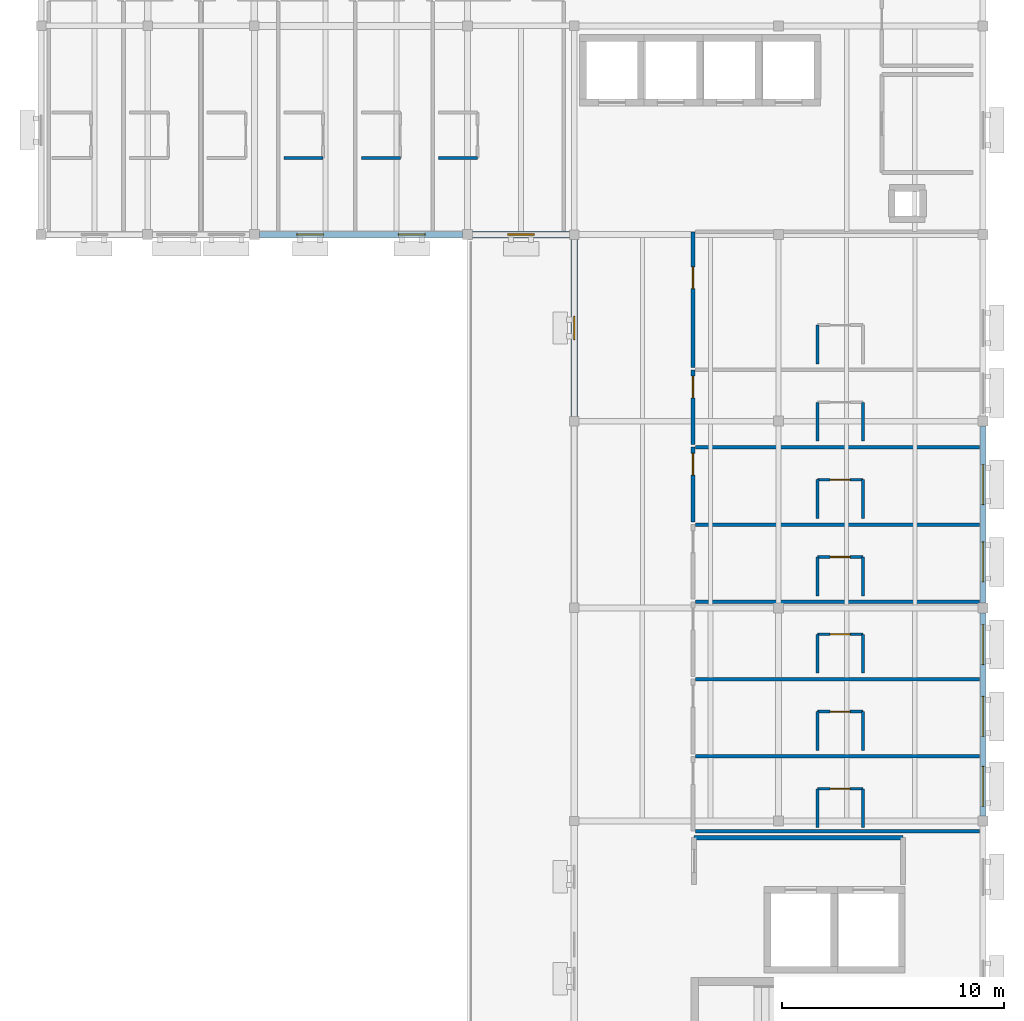
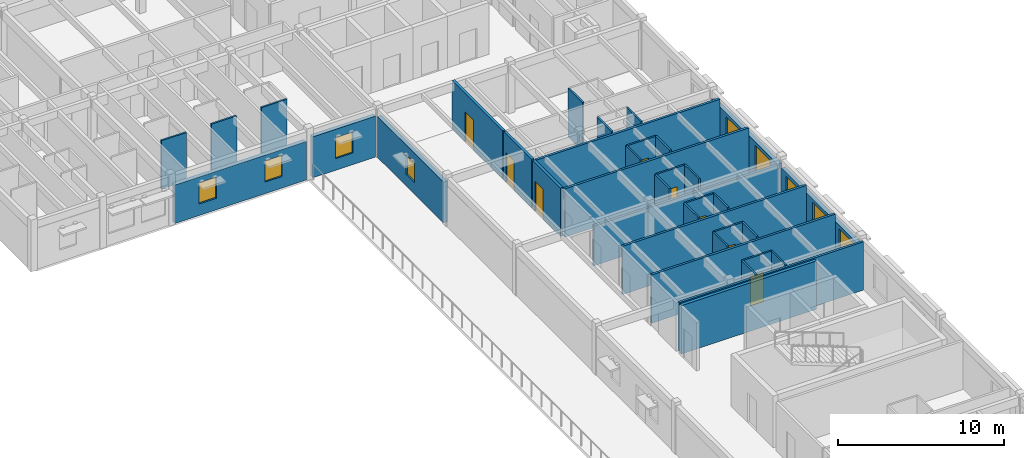
# One storey, part 7 of 18: 36 walls, 9 windows, 8 doors, 17 openings.
"""IFC4 building model written with IfcOpenShell, lengths in metres."""

from ifc_helpers import new_model, si_unit, direction, frame, frame_2d, origin, place, context, subcontext, project, spatial, rectangle, extrude, material, layer, layer_set, type_object, element, fill, save


model = new_model("IFC4")

# Units and contexts
model_context = context("Model", 3, precision=1e-05, world=origin(), true_north=direction((0.0, 1.0)))
body_context = subcontext(model_context, "Body", "Model", "MODEL_VIEW")
ifc_project = project(units=[si_unit("LENGTHUNIT", "METRE"), si_unit("AREAUNIT", "SQUARE_METRE"), si_unit("VOLUMEUNIT", "CUBIC_METRE"), si_unit("PLANEANGLEUNIT", "RADIAN"), si_unit("MASSUNIT", "GRAM", prefix="KILO")], contexts=[model_context])

# Site, building, storey
site_placement = place(None, origin())
site = spatial("IfcSite", under=ifc_project, at=site_placement, CompositionType="ELEMENT")
building_placement = place(site_placement, origin())
building = spatial("IfcBuilding", under=site, at=building_placement, Name="Veldera Park Congress Hotel", CompositionType="ELEMENT")
storey_placement = place(building_placement, frame((0.0, 0.0, 31.39990234375)))
storey = spatial("IfcBuildingStorey", under=building, at=storey_placement, Name="L07", CompositionType="ELEMENT", Elevation=31.39990234375)

# Wall, openings, windows
ifc_material_1 = material(Name="Cross-laminated timber CLT V2M1.1", Category="wood")
ifc_layer_1 = layer(ifc_material_1, 0.280029296875)
ifc_layer_set_1 = layer_set([ifc_layer_1], Name="Cross-laminated timber CLT V2M1.1")
wall_type_1 = type_object("IfcWallType", Name="EW-CLT280", PredefinedType="STANDARD", material=ifc_layer_set_1)
wall_1_placement = place(storey_placement, frame((84.0, 0.822998046875, 0.0), z_axis=(0.0, 0.0, 1.0), x_axis=(0.0, 1.0, 0.0)))
wall_1 = element("IfcWall", 1, at=wall_1_placement, inside=storey, type_object=wall_type_1, Name="L07 Exterior Wall EW3-L07-0346", PredefinedType="STANDARD", context=body_context, shape_type="SweptSolid", body=[
    extrude(rectangle(XDim=9.154052734375, YDim=0.280029296875, at=frame_2d((4.5771484375, 0.0))), origin(), (0.0, 0.0, 1.0), 2.97021484375),
])
opening_1_placement = place(wall_1_placement, frame((0.443603515625, 0.0, 0.85009765625)))
opening_1 = element("IfcOpeningElement", 2, at=opening_1_placement, cuts=wall_1, Name="Opening WIN-1800", PredefinedType="OPENING", context=body_context, shape_type="SweptSolid", body=[
    extrude(rectangle(XDim=1.800048828125, YDim=1.85009765625, at=frame_2d((0.89990234375, 0.925048828125))), frame((0.0, 0.152099609375, 0.0), z_axis=(0.0, -1.0, 0.0), x_axis=(1.0, 0.0, 0.0)), (0.0, 0.0, 1.0), 0.303955078125),
])
opening_2_placement = place(wall_1_placement, frame((3.5869140625, 0.0, 0.85009765625)))
opening_2 = element("IfcOpeningElement", 3, at=opening_2_placement, cuts=wall_1, Name="Opening WIN-1800", PredefinedType="OPENING", context=body_context, shape_type="SweptSolid", body=[
    extrude(rectangle(XDim=1.800048828125, YDim=1.85009765625, at=frame_2d((0.89990234375, 0.925048828125))), frame((0.0, 0.152099609375, 0.0), z_axis=(0.0, -1.0, 0.0), x_axis=(1.0, 0.0, 0.0)), (0.0, 0.0, 1.0), 0.303955078125),
])
opening_3_placement = place(wall_1_placement, frame((6.820556640625, 0.0, 0.85009765625)))
opening_3 = element("IfcOpeningElement", 4, at=opening_3_placement, cuts=wall_1, Name="Opening WIN-1800", PredefinedType="OPENING", context=body_context, shape_type="SweptSolid", body=[
    extrude(rectangle(XDim=1.800048828125, YDim=1.85009765625, at=frame_2d((0.89990234375, 0.925048828125))), frame((0.0, 0.152099609375, 0.0), z_axis=(0.0, -1.0, 0.0), x_axis=(1.0, 0.0, 0.0)), (0.0, 0.0, 1.0), 0.303955078125),
])
ifc_material_2 = material(Name="Low-E Triple Insulating Glass Unit (SHGC 0.22)", Category="glass")
window_type_1 = type_object("IfcWindowType", Name="WIN-1800", PartitioningType="SINGLE_PANEL", PredefinedType="WINDOW", material=ifc_material_2)
window_1_placement = place(opening_1_placement, origin())
window_1 = element("IfcWindow", 5, at=window_1_placement, inside=storey, type_object=window_type_1, Name="L07 Window WIN-1800 543", OverallHeight=1.85009765625, OverallWidth=1.800048828125, PartitioningType="SINGLE_PANEL", PredefinedType="WINDOW", context=body_context, shape_type="SweptSolid", body=[
    extrude(rectangle(XDim=1.800048828125, YDim=1.85009765625, at=frame_2d((0.89990234375, 0.925048828125))), frame((0.0, 0.030029296875, 0.0), z_axis=(0.0, -1.0, 0.0), x_axis=(1.0, 0.0, 0.0)), (0.0, 0.0, 1.0), 0.06005859375),
])
fill(opening_1, window_1)
window_2_placement = place(opening_2_placement, origin())
window_2 = element("IfcWindow", 6, at=window_2_placement, inside=storey, type_object=window_type_1, Name="L07 Window WIN-1800 544", OverallHeight=1.85009765625, OverallWidth=1.800048828125, PartitioningType="SINGLE_PANEL", PredefinedType="WINDOW", context=body_context, shape_type="SweptSolid", body=[
    extrude(rectangle(XDim=1.800048828125, YDim=1.85009765625, at=frame_2d((0.89990234375, 0.925048828125))), frame((0.0, 0.030029296875, 0.0), z_axis=(0.0, -1.0, 0.0), x_axis=(1.0, 0.0, 0.0)), (0.0, 0.0, 1.0), 0.06005859375),
])
fill(opening_2, window_2)
window_3_placement = place(opening_3_placement, origin())
window_3 = element("IfcWindow", 7, at=window_3_placement, inside=storey, type_object=window_type_1, Name="L07 Window WIN-1800 545", OverallHeight=1.85009765625, OverallWidth=1.800048828125, PartitioningType="SINGLE_PANEL", PredefinedType="WINDOW", context=body_context, shape_type="SweptSolid", body=[
    extrude(rectangle(XDim=1.800048828125, YDim=1.85009765625, at=frame_2d((0.89990234375, 0.925048828125))), frame((0.0, 0.030029296875, 0.0), z_axis=(0.0, -1.0, 0.0), x_axis=(1.0, 0.0, 0.0)), (0.0, 0.0, 1.0), 0.06005859375),
])
fill(opening_3, window_3)

wall_2_placement = place(storey_placement, frame((84.0, 10.423095703125, 0.0), z_axis=(0.0, 0.0, 1.0), x_axis=(0.0, 1.0, 0.0)))
wall_2 = element("IfcWall", 8, at=wall_2_placement, inside=storey, type_object=wall_type_1, Name="L07 Exterior Wall EW3-L07-0347", PredefinedType="STANDARD", context=body_context, shape_type="SweptSolid", body=[
    extrude(rectangle(XDim=7.953857421875, YDim=0.280029296875, at=frame_2d((3.97705078125, 0.0))), origin(), (0.0, 0.0, 1.0), 2.97021484375),
])
opening_4_placement = place(wall_2_placement, frame((0.947021484375, 0.0, 0.85009765625)))
opening_4 = element("IfcOpeningElement", 9, at=opening_4_placement, cuts=wall_2, Name="Opening WIN-1800", PredefinedType="OPENING", context=body_context, shape_type="SweptSolid", body=[
    extrude(rectangle(XDim=1.800048828125, YDim=1.85009765625, at=frame_2d((0.89990234375, 0.925048828125))), frame((0.0, 0.152099609375, 0.0), z_axis=(0.0, -1.0, 0.0), x_axis=(1.0, 0.0, 0.0)), (0.0, 0.0, 1.0), 0.303955078125),
])
opening_5_placement = place(wall_2_placement, frame((4.427001953125, 0.0, 0.85009765625)))
opening_5 = element("IfcOpeningElement", 10, at=opening_5_placement, cuts=wall_2, Name="Opening WIN-1800", PredefinedType="OPENING", context=body_context, shape_type="SweptSolid", body=[
    extrude(rectangle(XDim=1.800048828125, YDim=1.85009765625, at=frame_2d((0.89990234375, 0.925048828125))), frame((0.0, 0.152099609375, 0.0), z_axis=(0.0, -1.0, 0.0), x_axis=(1.0, 0.0, 0.0)), (0.0, 0.0, 1.0), 0.303955078125),
])
window_4_placement = place(opening_4_placement, origin())
window_4 = element("IfcWindow", 11, at=window_4_placement, inside=storey, type_object=window_type_1, Name="L07 Window WIN-1800 546", OverallHeight=1.85009765625, OverallWidth=1.800048828125, PartitioningType="SINGLE_PANEL", PredefinedType="WINDOW", context=body_context, shape_type="SweptSolid", body=[
    extrude(rectangle(XDim=1.800048828125, YDim=1.85009765625, at=frame_2d((0.89990234375, 0.925048828125))), frame((0.0, 0.030029296875, 0.0), z_axis=(0.0, -1.0, 0.0), x_axis=(1.0, 0.0, 0.0)), (0.0, 0.0, 1.0), 0.06005859375),
])
fill(opening_4, window_4)
window_5_placement = place(opening_5_placement, origin())
window_5 = element("IfcWindow", 12, at=window_5_placement, inside=storey, type_object=window_type_1, Name="L07 Window WIN-1800 547", OverallHeight=1.85009765625, OverallWidth=1.800048828125, PartitioningType="SINGLE_PANEL", PredefinedType="WINDOW", context=body_context, shape_type="SweptSolid", body=[
    extrude(rectangle(XDim=1.800048828125, YDim=1.85009765625, at=frame_2d((0.89990234375, 0.925048828125))), frame((0.0, 0.030029296875, 0.0), z_axis=(0.0, -1.0, 0.0), x_axis=(1.0, 0.0, 0.0)), (0.0, 0.0, 1.0), 0.06005859375),
])
fill(opening_5, window_5)

wall_3_placement = place(storey_placement, frame((51.423095703125, 27.0, 0.0), z_axis=(0.0, 0.0, 1.0), x_axis=(1.0, 0.0, 0.0)))
wall_3 = element("IfcWall", 13, at=wall_3_placement, inside=storey, type_object=wall_type_1, Name="L07 Exterior Wall EW3-L07-0361", PredefinedType="STANDARD", context=body_context, shape_type="SweptSolid", body=[
    extrude(rectangle(XDim=9.15380859375, YDim=0.280029296875, at=frame_2d((4.576904296875, 0.0))), origin(), (0.0, 0.0, 1.0), 2.830078125),
])
opening_6_placement = place(wall_3_placement, frame((1.6884765625, 0.0, 0.85009765625)))
opening_6 = element("IfcOpeningElement", 14, at=opening_6_placement, cuts=wall_3, Name="Opening WIN-1200", PredefinedType="OPENING", context=body_context, shape_type="SweptSolid", body=[
    extrude(rectangle(XDim=1.199951171875, YDim=1.550048828125, at=frame_2d((0.60009765625, 0.77490234375))), frame((0.0, 0.152099609375, 0.0), z_axis=(0.0, -1.0, 0.0), x_axis=(1.0, 0.0, 0.0)), (0.0, 0.0, 1.0), 0.303955078125),
])
opening_7_placement = place(wall_3_placement, frame((6.265380859375, 0.0, 0.85009765625)))
opening_7 = element("IfcOpeningElement", 15, at=opening_7_placement, cuts=wall_3, Name="Opening WIN-1200", PredefinedType="OPENING", context=body_context, shape_type="SweptSolid", body=[
    extrude(rectangle(XDim=1.199951171875, YDim=1.550048828125, at=frame_2d((0.60009765625, 0.77490234375))), frame((0.0, 0.152099609375, 0.0), z_axis=(0.0, -1.0, 0.0), x_axis=(1.0, 0.0, 0.0)), (0.0, 0.0, 1.0), 0.303955078125),
])
window_type_2 = type_object("IfcWindowType", Name="WIN-1200", PartitioningType="SINGLE_PANEL", PredefinedType="WINDOW", material=ifc_material_2)
window_6_placement = place(opening_6_placement, origin())
window_6 = element("IfcWindow", 16, at=window_6_placement, inside=storey, type_object=window_type_2, Name="L07 Window WIN-1200 274", OverallHeight=1.550048828125, OverallWidth=1.199951171875, PartitioningType="SINGLE_PANEL", PredefinedType="WINDOW", context=body_context, shape_type="SweptSolid", body=[
    extrude(rectangle(XDim=1.199951171875, YDim=1.550048828125, at=frame_2d((0.60009765625, 0.77490234375))), frame((0.0, 0.030029296875, 0.0), z_axis=(0.0, -1.0, 0.0), x_axis=(1.0, 0.0, 0.0)), (0.0, 0.0, 1.0), 0.06005859375),
])
fill(opening_6, window_6)
window_7_placement = place(opening_7_placement, origin())
window_7 = element("IfcWindow", 17, at=window_7_placement, inside=storey, type_object=window_type_2, Name="L07 Window WIN-1200 275", OverallHeight=1.550048828125, OverallWidth=1.199951171875, PartitioningType="SINGLE_PANEL", PredefinedType="WINDOW", context=body_context, shape_type="SweptSolid", body=[
    extrude(rectangle(XDim=1.199951171875, YDim=1.550048828125, at=frame_2d((0.60009765625, 0.77490234375))), frame((0.0, 0.030029296875, 0.0), z_axis=(0.0, -1.0, 0.0), x_axis=(1.0, 0.0, 0.0)), (0.0, 0.0, 1.0), 0.06005859375),
])
fill(opening_7, window_7)

# Wall, opening, window
wall_4_placement = place(storey_placement, frame((61.02294921875, 27.0, 0.0), z_axis=(0.0, 0.0, 1.0), x_axis=(1.0, 0.0, 0.0)))
wall_4 = element("IfcWall", 18, at=wall_4_placement, inside=storey, type_object=wall_type_1, Name="L07 Exterior Wall EW3-L07-0362", PredefinedType="STANDARD", context=body_context, shape_type="SweptSolid", body=[
    extrude(rectangle(XDim=4.369140625, YDim=0.280029296875, at=frame_2d((2.1845703125, 0.0))), origin(), (0.0, 0.0, 1.0), 3.010009765625),
])
opening_8_placement = place(wall_4_placement, frame((1.58447265625, 0.0, 0.85009765625)))
opening_8 = element("IfcOpeningElement", 19, at=opening_8_placement, cuts=wall_4, Name="Opening WIN-1200", PredefinedType="OPENING", context=body_context, shape_type="SweptSolid", body=[
    extrude(rectangle(XDim=1.199951171875, YDim=1.550048828125, at=frame_2d((0.60009765625, 0.77490234375))), frame((0.0, 0.152099609375, 0.0), z_axis=(0.0, -1.0, 0.0), x_axis=(1.0, 0.0, 0.0)), (0.0, 0.0, 1.0), 0.303955078125),
])
window_8_placement = place(opening_8_placement, origin())
window_8 = element("IfcWindow", 20, at=window_8_placement, inside=storey, type_object=window_type_2, Name="L07 Window WIN-1200 276", OverallHeight=1.550048828125, OverallWidth=1.199951171875, PartitioningType="SINGLE_PANEL", PredefinedType="WINDOW", context=body_context, shape_type="SweptSolid", body=[
    extrude(rectangle(XDim=1.199951171875, YDim=1.550048828125, at=frame_2d((0.60009765625, 0.77490234375))), frame((0.0, 0.030029296875, 0.0), z_axis=(0.0, -1.0, 0.0), x_axis=(1.0, 0.0, 0.0)), (0.0, 0.0, 1.0), 0.06005859375),
])
fill(opening_8, window_8)

wall_5_placement = place(storey_placement, frame((65.60009765625, 26.7919921875, 0.0), z_axis=(0.0, 0.0, 1.0), x_axis=(0.0, -1.0, 0.0)))
wall_5 = element("IfcWall", 21, at=wall_5_placement, inside=storey, type_object=wall_type_1, Name="L07 Exterior Wall EW3-L07-0363", PredefinedType="STANDARD", context=body_context, shape_type="SweptSolid", body=[
    extrude(rectangle(XDim=7.98388671875, YDim=0.280029296875, at=frame_2d((3.991943359375, 0.0))), origin(), (0.0, 0.0, 1.0), 3.010009765625),
])
opening_9_placement = place(wall_5_placement, frame((3.467041015625, 0.0, 0.85009765625)))
opening_9 = element("IfcOpeningElement", 22, at=opening_9_placement, cuts=wall_5, Name="Opening WIN-1050", PredefinedType="OPENING", context=body_context, shape_type="SweptSolid", body=[
    extrude(rectangle(XDim=1.050048828125, YDim=1.449951171875, at=frame_2d((0.52490234375, 0.72509765625))), frame((0.0, 0.152099609375, 0.0), z_axis=(0.0, -1.0, 0.0), x_axis=(1.0, 0.0, 0.0)), (0.0, 0.0, 1.0), 0.303955078125),
])
window_type_3 = type_object("IfcWindowType", Name="WIN-1050", PartitioningType="SINGLE_PANEL", PredefinedType="WINDOW", material=ifc_material_2)
window_9_placement = place(opening_9_placement, origin())
window_9 = element("IfcWindow", 23, at=window_9_placement, inside=storey, type_object=window_type_3, Name="L07 Window WIN-1050 277", OverallHeight=1.449951171875, OverallWidth=1.050048828125, PartitioningType="SINGLE_PANEL", PredefinedType="WINDOW", context=body_context, shape_type="SweptSolid", body=[
    extrude(rectangle(XDim=1.050048828125, YDim=1.449951171875, at=frame_2d((0.52490234375, 0.72509765625))), frame((0.0, 0.030029296875, 0.0), z_axis=(0.0, -1.0, 0.0), x_axis=(1.0, 0.0, 0.0)), (0.0, 0.0, 1.0), 0.06005859375),
])
fill(opening_9, window_9)

# Walls
ifc_material_3 = material(Name="Fire-Rated Gypsum Board on Cold-Formed Steel Studs", Category="steel")
ifc_layer_2 = layer(ifc_material_3, 0.1201171875)
ifc_layer_set_2 = layer_set([ifc_layer_2], Name="Fire-Rated Gypsum Board on Cold-Formed Steel Studs")
wall_type_2 = type_object("IfcWallType", Name="IW-BATH120", PredefinedType="PARTITIONING", material=ifc_layer_set_2)
for number, where, z_axis, x_axis, name in (
    (24, (76.550048828125, 0.300048828125, 0.0), (0.0, 0.0, 1.0), (0.0, 1.0, 0.0), "L07 Partition Wall IW3-L07-01398"),
    (25, (78.60009765625, 0.300048828125, 0.0), (0.0, 0.0, 1.0), (0.0, 1.0, 0.0), "L07 Partition Wall IW3-L07-01399"),
):
    element("IfcWall", number, at=place(storey_placement, frame(where, z_axis=z_axis, x_axis=x_axis)), inside=storey, type_object=wall_type_2, Name=name, PredefinedType="PARTITIONING", context=body_context, shape_type="SweptSolid", body=[
        extrude(rectangle(XDim=1.75, YDim=0.1201171875, at=frame_2d((0.875, 0.0))), origin(), (0.0, 0.0, 1.0), 3.55517578125),
    ])

# Wall, opening, door
wall_6_placement = place(storey_placement, frame((76.550048828125, 2.050048828125, 0.0), z_axis=(0.0, 0.0, 1.0), x_axis=(1.0, 0.0, 0.0)))
wall_6 = element("IfcWall", 26, at=wall_6_placement, inside=storey, type_object=wall_type_2, Name="L07 Partition Wall IW3-L07-01400", PredefinedType="PARTITIONING", context=body_context, shape_type="SweptSolid", body=[
    extrude(rectangle(XDim=2.050048828125, YDim=0.1201171875, at=frame_2d((1.02490234375, 0.0))), origin(), (0.0, 0.0, 1.0), 3.55517578125),
])
opening_10_placement = place(wall_6_placement, frame((0.574951171875, 0.0, 0.0)))
opening_10 = element("IfcOpeningElement", 27, at=opening_10_placement, cuts=wall_6, Name="Opening ID-BATH090", PredefinedType="OPENING", context=body_context, shape_type="SweptSolid", body=[
    extrude(rectangle(XDim=0.89990234375, YDim=2.14990234375, at=frame_2d((0.449951171875, 1.074951171875))), frame((0.0, 0.072021484375, 0.0), z_axis=(0.0, -1.0, 0.0), x_axis=(1.0, 0.0, 0.0)), (0.0, 0.0, 1.0), 0.14404296875),
])
ifc_material_4 = material(Name="Solid Core White Oak Architectural Door", Category="wood")
door_type_1 = type_object("IfcDoorType", Name="ID-BATH090", OperationType="NOTDEFINED", PredefinedType="DOOR", material=ifc_material_4)
door_1_placement = place(opening_10_placement, origin())
door_1 = element("IfcDoor", 28, at=door_1_placement, inside=storey, type_object=door_type_1, Name="L07 En-suite 221 Door ID3-L07-0581 (DR3-ID3-L07-0581)", OperationType="SINGLE_SWING_LEFT", OverallHeight=2.14990234375, OverallWidth=0.89990234375, PredefinedType="DOOR", context=body_context, shape_type="SweptSolid", body=[
    extrude(rectangle(XDim=0.89990234375, YDim=2.14990234375, at=frame_2d((0.449951171875, 1.074951171875))), frame((0.0, 0.02490234375, 0.0), z_axis=(0.0, -1.0, 0.0), x_axis=(1.0, 0.0, 0.0)), (0.0, 0.0, 1.0), 0.050048828125),
])
fill(opening_10, door_1)

# Walls
for number, where, z_axis, x_axis, name in (
    (29, (76.550048828125, 3.780029296875, 0.0), (0.0, 0.0, 1.0), (0.0, 1.0, 0.0), "L07 Partition Wall IW3-L07-01403"),
    (30, (78.60009765625, 3.780029296875, 0.0), (0.0, 0.0, 1.0), (0.0, 1.0, 0.0), "L07 Partition Wall IW3-L07-01404"),
):
    element("IfcWall", number, at=place(storey_placement, frame(where, z_axis=z_axis, x_axis=x_axis)), inside=storey, type_object=wall_type_2, Name=name, PredefinedType="PARTITIONING", context=body_context, shape_type="SweptSolid", body=[
        extrude(rectangle(XDim=1.75, YDim=0.1201171875, at=frame_2d((0.875, 0.0))), origin(), (0.0, 0.0, 1.0), 3.55517578125),
    ])

# Wall, opening, door
wall_7_placement = place(storey_placement, frame((76.550048828125, 5.530029296875, 0.0), z_axis=(0.0, 0.0, 1.0), x_axis=(1.0, 0.0, 0.0)))
wall_7 = element("IfcWall", 31, at=wall_7_placement, inside=storey, type_object=wall_type_2, Name="L07 Partition Wall IW3-L07-01405", PredefinedType="PARTITIONING", context=body_context, shape_type="SweptSolid", body=[
    extrude(rectangle(XDim=2.050048828125, YDim=0.1201171875, at=frame_2d((1.02490234375, 0.0))), origin(), (0.0, 0.0, 1.0), 3.55517578125),
])
opening_11_placement = place(wall_7_placement, frame((0.574951171875, 0.0, 0.0)))
opening_11 = element("IfcOpeningElement", 32, at=opening_11_placement, cuts=wall_7, Name="Opening ID-BATH090", PredefinedType="OPENING", context=body_context, shape_type="SweptSolid", body=[
    extrude(rectangle(XDim=0.89990234375, YDim=2.14990234375, at=frame_2d((0.449951171875, 1.074951171875))), frame((0.0, 0.072021484375, 0.0), z_axis=(0.0, -1.0, 0.0), x_axis=(1.0, 0.0, 0.0)), (0.0, 0.0, 1.0), 0.14404296875),
])
door_2_placement = place(opening_11_placement, origin())
door_2 = element("IfcDoor", 33, at=door_2_placement, inside=storey, type_object=door_type_1, Name="L07 En-suite 222 Door ID3-L07-0583 (DR3-ID3-L07-0583)", OperationType="SINGLE_SWING_LEFT", OverallHeight=2.14990234375, OverallWidth=0.89990234375, PredefinedType="DOOR", context=body_context, shape_type="SweptSolid", body=[
    extrude(rectangle(XDim=0.89990234375, YDim=2.14990234375, at=frame_2d((0.449951171875, 1.074951171875))), frame((0.0, 0.02490234375, 0.0), z_axis=(0.0, -1.0, 0.0), x_axis=(1.0, 0.0, 0.0)), (0.0, 0.0, 1.0), 0.050048828125),
])
fill(opening_11, door_2)

# Walls
for number, where, z_axis, x_axis, name in (
    (34, (76.550048828125, 7.260009765625, 0.0), (0.0, 0.0, 1.0), (0.0, 1.0, 0.0), "L07 Partition Wall IW3-L07-01408"),
    (35, (78.60009765625, 7.260009765625, 0.0), (0.0, 0.0, 1.0), (0.0, 1.0, 0.0), "L07 Partition Wall IW3-L07-01409"),
):
    element("IfcWall", number, at=place(storey_placement, frame(where, z_axis=z_axis, x_axis=x_axis)), inside=storey, type_object=wall_type_2, Name=name, PredefinedType="PARTITIONING", context=body_context, shape_type="SweptSolid", body=[
        extrude(rectangle(XDim=1.75, YDim=0.1201171875, at=frame_2d((0.875, 0.0))), origin(), (0.0, 0.0, 1.0), 3.55517578125),
    ])

# Wall, opening, door
wall_8_placement = place(storey_placement, frame((76.550048828125, 9.010009765625, 0.0), z_axis=(0.0, 0.0, 1.0), x_axis=(1.0, 0.0, 0.0)))
wall_8 = element("IfcWall", 36, at=wall_8_placement, inside=storey, type_object=wall_type_2, Name="L07 Partition Wall IW3-L07-01410", PredefinedType="PARTITIONING", context=body_context, shape_type="SweptSolid", body=[
    extrude(rectangle(XDim=2.050048828125, YDim=0.1201171875, at=frame_2d((1.02490234375, 0.0))), origin(), (0.0, 0.0, 1.0), 3.55517578125),
])
opening_12_placement = place(wall_8_placement, frame((0.574951171875, 0.0, 0.0)))
opening_12 = element("IfcOpeningElement", 37, at=opening_12_placement, cuts=wall_8, Name="Opening ID-BATH090", PredefinedType="OPENING", context=body_context, shape_type="SweptSolid", body=[
    extrude(rectangle(XDim=0.89990234375, YDim=2.14990234375, at=frame_2d((0.449951171875, 1.074951171875))), frame((0.0, 0.072021484375, 0.0), z_axis=(0.0, -1.0, 0.0), x_axis=(1.0, 0.0, 0.0)), (0.0, 0.0, 1.0), 0.14404296875),
])
door_3_placement = place(opening_12_placement, origin())
door_3 = element("IfcDoor", 38, at=door_3_placement, inside=storey, type_object=door_type_1, Name="L07 En-suite 223 Door ID3-L07-0585 (DR3-ID3-L07-0585)", OperationType="SINGLE_SWING_LEFT", OverallHeight=2.14990234375, OverallWidth=0.89990234375, PredefinedType="DOOR", context=body_context, shape_type="SweptSolid", body=[
    extrude(rectangle(XDim=0.89990234375, YDim=2.14990234375, at=frame_2d((0.449951171875, 1.074951171875))), frame((0.0, 0.02490234375, 0.0), z_axis=(0.0, -1.0, 0.0), x_axis=(1.0, 0.0, 0.0)), (0.0, 0.0, 1.0), 0.050048828125),
])
fill(opening_12, door_3)

# Walls
for number, where, z_axis, x_axis, name in (
    (39, (76.550048828125, 10.739990234375, 0.0), (0.0, 0.0, 1.0), (0.0, 1.0, 0.0), "L07 Partition Wall IW3-L07-01413"),
    (40, (78.60009765625, 10.739990234375, 0.0), (0.0, 0.0, 1.0), (0.0, 1.0, 0.0), "L07 Partition Wall IW3-L07-01414"),
):
    element("IfcWall", number, at=place(storey_placement, frame(where, z_axis=z_axis, x_axis=x_axis)), inside=storey, type_object=wall_type_2, Name=name, PredefinedType="PARTITIONING", context=body_context, shape_type="SweptSolid", body=[
        extrude(rectangle(XDim=1.75, YDim=0.1201171875, at=frame_2d((0.875, 0.0))), origin(), (0.0, 0.0, 1.0), 3.55517578125),
    ])

# Wall, opening, door
wall_9_placement = place(storey_placement, frame((76.550048828125, 12.489990234375, 0.0), z_axis=(0.0, 0.0, 1.0), x_axis=(1.0, 0.0, 0.0)))
wall_9 = element("IfcWall", 41, at=wall_9_placement, inside=storey, type_object=wall_type_2, Name="L07 Partition Wall IW3-L07-01415", PredefinedType="PARTITIONING", context=body_context, shape_type="SweptSolid", body=[
    extrude(rectangle(XDim=2.050048828125, YDim=0.1201171875, at=frame_2d((1.02490234375, 0.0))), origin(), (0.0, 0.0, 1.0), 3.55517578125),
])
opening_13_placement = place(wall_9_placement, frame((0.574951171875, 0.0, 0.0)))
opening_13 = element("IfcOpeningElement", 42, at=opening_13_placement, cuts=wall_9, Name="Opening ID-BATH090", PredefinedType="OPENING", context=body_context, shape_type="SweptSolid", body=[
    extrude(rectangle(XDim=0.89990234375, YDim=2.14990234375, at=frame_2d((0.449951171875, 1.074951171875))), frame((0.0, 0.072021484375, 0.0), z_axis=(0.0, -1.0, 0.0), x_axis=(1.0, 0.0, 0.0)), (0.0, 0.0, 1.0), 0.14404296875),
])
door_4_placement = place(opening_13_placement, origin())
door_4 = element("IfcDoor", 43, at=door_4_placement, inside=storey, type_object=door_type_1, Name="L07 En-suite 224 Door ID3-L07-0587 (DR3-ID3-L07-0587)", OperationType="SINGLE_SWING_LEFT", OverallHeight=2.14990234375, OverallWidth=0.89990234375, PredefinedType="DOOR", context=body_context, shape_type="SweptSolid", body=[
    extrude(rectangle(XDim=0.89990234375, YDim=2.14990234375, at=frame_2d((0.449951171875, 1.074951171875))), frame((0.0, 0.02490234375, 0.0), z_axis=(0.0, -1.0, 0.0), x_axis=(1.0, 0.0, 0.0)), (0.0, 0.0, 1.0), 0.050048828125),
])
fill(opening_13, door_4)

# Walls
for number, where, z_axis, x_axis, name in (
    (44, (76.550048828125, 14.219970703125, 0.0), (0.0, 0.0, 1.0), (0.0, 1.0, 0.0), "L07 Partition Wall IW3-L07-01418"),
    (45, (78.60009765625, 14.219970703125, 0.0), (0.0, 0.0, 1.0), (0.0, 1.0, 0.0), "L07 Partition Wall IW3-L07-01419"),
):
    element("IfcWall", number, at=place(storey_placement, frame(where, z_axis=z_axis, x_axis=x_axis)), inside=storey, type_object=wall_type_2, Name=name, PredefinedType="PARTITIONING", context=body_context, shape_type="SweptSolid", body=[
        extrude(rectangle(XDim=1.75, YDim=0.1201171875, at=frame_2d((0.875, 0.0))), origin(), (0.0, 0.0, 1.0), 3.55517578125),
    ])

# Wall, opening, door
wall_10_placement = place(storey_placement, frame((76.550048828125, 15.969970703125, 0.0), z_axis=(0.0, 0.0, 1.0), x_axis=(1.0, 0.0, 0.0)))
wall_10 = element("IfcWall", 46, at=wall_10_placement, inside=storey, type_object=wall_type_2, Name="L07 Partition Wall IW3-L07-01420", PredefinedType="PARTITIONING", context=body_context, shape_type="SweptSolid", body=[
    extrude(rectangle(XDim=2.050048828125, YDim=0.1201171875, at=frame_2d((1.02490234375, 0.0))), origin(), (0.0, 0.0, 1.0), 3.55517578125),
])
opening_14_placement = place(wall_10_placement, frame((0.574951171875, 0.0, 0.0)))
opening_14 = element("IfcOpeningElement", 47, at=opening_14_placement, cuts=wall_10, Name="Opening ID-BATH090", PredefinedType="OPENING", context=body_context, shape_type="SweptSolid", body=[
    extrude(rectangle(XDim=0.89990234375, YDim=2.14990234375, at=frame_2d((0.449951171875, 1.074951171875))), frame((0.0, 0.072021484375, 0.0), z_axis=(0.0, -1.0, 0.0), x_axis=(1.0, 0.0, 0.0)), (0.0, 0.0, 1.0), 0.14404296875),
])
door_5_placement = place(opening_14_placement, origin())
door_5 = element("IfcDoor", 48, at=door_5_placement, inside=storey, type_object=door_type_1, Name="L07 En-suite 225 Door ID3-L07-0589 (DR3-ID3-L07-0589)", OperationType="SINGLE_SWING_LEFT", OverallHeight=2.14990234375, OverallWidth=0.89990234375, PredefinedType="DOOR", context=body_context, shape_type="SweptSolid", body=[
    extrude(rectangle(XDim=0.89990234375, YDim=2.14990234375, at=frame_2d((0.449951171875, 1.074951171875))), frame((0.0, 0.02490234375, 0.0), z_axis=(0.0, -1.0, 0.0), x_axis=(1.0, 0.0, 0.0)), (0.0, 0.0, 1.0), 0.050048828125),
])
fill(opening_14, door_5)

# Walls
for number, where, z_axis, x_axis, name in (
    (49, (76.550048828125, 17.699951171875, 0.0), (0.0, 0.0, 1.0), (0.0, 1.0, 0.0), "L07 Partition Wall IW3-L07-01423"),
    (50, (78.60009765625, 17.699951171875, 0.0), (0.0, 0.0, 1.0), (0.0, 1.0, 0.0), "L07 Partition Wall IW3-L07-01424"),
    (51, (76.550048828125, 21.179931640625, 0.0), (0.0, 0.0, 1.0), (0.0, 1.0, 0.0), "L07 Partition Wall IW3-L07-01428"),
    (52, (52.5400390625, 30.449951171875, 0.0), (0.0, 0.0, 1.0), (1.0, 0.0, 0.0), "L07 Partition Wall IW3-L07-01451"),
    (53, (56.02001953125, 30.449951171875, 0.0), (0.0, 0.0, 1.0), (1.0, 0.0, 0.0), "L07 Partition Wall IW3-L07-01456"),
    (54, (59.5, 30.449951171875, 0.0), (0.0, 0.0, 1.0), (1.0, 0.0, 0.0), "L07 Partition Wall IW3-L07-01461"),
):
    element("IfcWall", number, at=place(storey_placement, frame(where, z_axis=z_axis, x_axis=x_axis)), inside=storey, type_object=wall_type_2, Name=name, PredefinedType="PARTITIONING", context=body_context, shape_type="SweptSolid", body=[
        extrude(rectangle(XDim=1.75, YDim=0.1201171875, at=frame_2d((0.875, 0.0))), origin(), (0.0, 0.0, 1.0), 3.55517578125),
    ])

# Wall, opening, door
ifc_layer_3 = layer(ifc_material_3, 0.179931640625)
ifc_layer_set_3 = layer_set([ifc_layer_3], Name="Fire-Rated Gypsum Board on Cold-Formed Steel Studs")
wall_type_3 = type_object("IfcWallType", Name="IW-CORR180", PredefinedType="PARTITIONING", material=ifc_layer_set_3)
wall_11_placement = place(storey_placement, frame((70.949951171875, 17.429931640625, 0.0), z_axis=(0.0, 0.0, 1.0), x_axis=(0.0, -1.0, 0.0)))
wall_11 = element("IfcWall", 55, at=wall_11_placement, inside=storey, type_object=wall_type_3, Name="L07 Corridor Wall IW3-L07-01416", PredefinedType="PARTITIONING", context=body_context, shape_type="SweptSolid", body=[
    extrude(rectangle(XDim=3.35986328125, YDim=0.179931640625, at=frame_2d((1.679931640625, 0.0))), origin(), (0.0, 0.0, 1.0), 3.55517578125),
])
opening_15_placement = place(wall_11_placement, frame((0.280029296875, 0.0, 0.0)))
opening_15 = element("IfcOpeningElement", 56, at=opening_15_placement, cuts=wall_11, Name="Opening ID-UNIT098", PredefinedType="OPENING", context=body_context, shape_type="SweptSolid", body=[
    extrude(rectangle(XDim=0.97998046875, YDim=2.179931640625, at=frame_2d((0.489990234375, 1.08984375))), frame((0.0, 0.10205078125, 0.0), z_axis=(0.0, -1.0, 0.0), x_axis=(1.0, 0.0, 0.0)), (0.0, 0.0, 1.0), 0.203857421875),
])
door_type_2 = type_object("IfcDoorType", Name="ID-UNIT098", OperationType="NOTDEFINED", PredefinedType="DOOR", material=ifc_material_4)
door_6_placement = place(opening_15_placement, origin())
door_6 = element("IfcDoor", 57, at=door_6_placement, inside=storey, type_object=door_type_2, Name="L07 Guestroom 225 Entry Door (DR3-UD3-L07-225)", OperationType="SINGLE_SWING_RIGHT", OverallHeight=2.179931640625, OverallWidth=0.97998046875, PredefinedType="DOOR", context=body_context, shape_type="SweptSolid", body=[
    extrude(rectangle(XDim=0.97998046875, YDim=2.179931640625, at=frame_2d((0.489990234375, 1.08984375))), frame((0.0, 0.02490234375, 0.0), z_axis=(0.0, -1.0, 0.0), x_axis=(1.0, 0.0, 0.0)), (0.0, 0.0, 1.0), 0.050048828125),
])
fill(opening_15, door_6)

wall_12_placement = place(storey_placement, frame((70.949951171875, 20.909912109375, 0.0), z_axis=(0.0, 0.0, 1.0), x_axis=(0.0, -1.0, 0.0)))
wall_12 = element("IfcWall", 58, at=wall_12_placement, inside=storey, type_object=wall_type_3, Name="L07 Corridor Wall IW3-L07-01421", PredefinedType="PARTITIONING", context=body_context, shape_type="SweptSolid", body=[
    extrude(rectangle(XDim=3.35986328125, YDim=0.179931640625, at=frame_2d((1.679931640625, 0.0))), origin(), (0.0, 0.0, 1.0), 3.55517578125),
])
opening_16_placement = place(wall_12_placement, frame((0.280029296875, 0.0, 0.0)))
opening_16 = element("IfcOpeningElement", 59, at=opening_16_placement, cuts=wall_12, Name="Opening ID-UNIT098", PredefinedType="OPENING", context=body_context, shape_type="SweptSolid", body=[
    extrude(rectangle(XDim=0.97998046875, YDim=2.179931640625, at=frame_2d((0.489990234375, 1.08984375))), frame((0.0, 0.10205078125, 0.0), z_axis=(0.0, -1.0, 0.0), x_axis=(1.0, 0.0, 0.0)), (0.0, 0.0, 1.0), 0.203857421875),
])
door_7_placement = place(opening_16_placement, origin())
door_7 = element("IfcDoor", 60, at=door_7_placement, inside=storey, type_object=door_type_2, Name="L07 Guestroom 226 Entry Door (DR3-UD3-L07-226)", OperationType="SINGLE_SWING_RIGHT", OverallHeight=2.179931640625, OverallWidth=0.97998046875, PredefinedType="DOOR", context=body_context, shape_type="SweptSolid", body=[
    extrude(rectangle(XDim=0.97998046875, YDim=2.179931640625, at=frame_2d((0.489990234375, 1.08984375))), frame((0.0, 0.02490234375, 0.0), z_axis=(0.0, -1.0, 0.0), x_axis=(1.0, 0.0, 0.0)), (0.0, 0.0, 1.0), 0.050048828125),
])
fill(opening_16, door_7)

wall_13_placement = place(storey_placement, frame((70.949951171875, 27.1298828125, 0.0), z_axis=(0.0, 0.0, 1.0), x_axis=(0.0, -1.0, 0.0)))
wall_13 = element("IfcWall", 61, at=wall_13_placement, inside=storey, type_object=wall_type_3, Name="L07 Corridor Wall IW3-L07-01426", PredefinedType="PARTITIONING", context=body_context, shape_type="SweptSolid", body=[
    extrude(rectangle(XDim=6.099853515625, YDim=0.179931640625, at=frame_2d((3.0498046875, 0.0))), origin(), (0.0, 0.0, 1.0), 3.55517578125),
])
opening_17_placement = place(wall_13_placement, frame((1.580078125, 0.0, 0.0)))
opening_17 = element("IfcOpeningElement", 62, at=opening_17_placement, cuts=wall_13, Name="Opening ID-UNIT098", PredefinedType="OPENING", context=body_context, shape_type="SweptSolid", body=[
    extrude(rectangle(XDim=0.97998046875, YDim=2.179931640625, at=frame_2d((0.489990234375, 1.08984375))), frame((0.0, 0.10205078125, 0.0), z_axis=(0.0, -1.0, 0.0), x_axis=(1.0, 0.0, 0.0)), (0.0, 0.0, 1.0), 0.203857421875),
])
door_8_placement = place(opening_17_placement, origin())
door_8 = element("IfcDoor", 63, at=door_8_placement, inside=storey, type_object=door_type_2, Name="L07 Guestroom 227 Entry Door (DR3-UD3-L07-227)", OperationType="SINGLE_SWING_RIGHT", OverallHeight=2.179931640625, OverallWidth=0.97998046875, PredefinedType="DOOR", context=body_context, shape_type="SweptSolid", body=[
    extrude(rectangle(XDim=0.97998046875, YDim=2.179931640625, at=frame_2d((0.489990234375, 1.08984375))), frame((0.0, 0.02490234375, 0.0), z_axis=(0.0, -1.0, 0.0), x_axis=(1.0, 0.0, 0.0)), (0.0, 0.0, 1.0), 0.050048828125),
])
fill(opening_17, door_8)

# Walls
ifc_material_5 = material(Name="Concrete f'c 40 MPa (5,800 psi)", Category="concrete")
ifc_layer_4 = layer(ifc_material_5, 0.219970703125)
ifc_layer_set_4 = layer_set([ifc_layer_4], Name="Concrete f'c 40 MPa (5,800 psi)")
wall_type_4 = type_object("IfcWallType", Name="IW-FIRE220", PredefinedType="STANDARD", material=ifc_layer_set_4)
wall_14_placement = place(storey_placement, frame((80.39990234375, -0.14990234375, 0.0), z_axis=(0.0, 0.0, 1.0), x_axis=(-1.0, 0.0, 0.0)))
element("IfcWall", 64, at=wall_14_placement, inside=storey, type_object=wall_type_4, Name="L07 Partition Wall IW3-L07-00288", PredefinedType="STANDARD", context=body_context, shape_type="SweptSolid", body=[
    extrude(rectangle(XDim=9.39990234375, YDim=0.219970703125, at=frame_2d((4.699951171875, 0.0))), origin(), (0.0, 0.0, 1.0), 3.55517578125),
])
ifc_layer_5 = layer(ifc_material_1, 0.159912109375)
ifc_layer_set_5 = layer_set([ifc_layer_5], Name="Cross-laminated timber CLT V2M1.1")
wall_type_5 = type_object("IfcWallType", Name="IW-UNIT160", PredefinedType="PARTITIONING", material=ifc_layer_set_5)
for number, where, z_axis, x_axis, name in (
    (65, (71.050048828125, 0.14990234375, 0.0), (0.0, 0.0, 1.0), (1.0, 0.0, 0.0), "L07 Partition Wall IW3-L07-01396"),
    (66, (71.050048828125, 3.510009765625, 0.0), (0.0, 0.0, 1.0), (1.0, 0.0, 0.0), "L07 Partition Wall IW3-L07-01397"),
    (67, (71.050048828125, 6.989990234375, 0.0), (0.0, 0.0, 1.0), (1.0, 0.0, 0.0), "L07 Partition Wall IW3-L07-01402"),
):
    element("IfcWall", number, at=place(storey_placement, frame(where, z_axis=z_axis, x_axis=x_axis)), inside=storey, type_object=wall_type_5, Name=name, PredefinedType="PARTITIONING", context=body_context, shape_type="SweptSolid", body=[
        extrude(rectangle(XDim=12.7900390625, YDim=0.159912109375, at=frame_2d((6.39501953125, 0.0))), origin(), (0.0, 0.0, 1.0), 3.55517578125),
    ])
wall_15_placement = place(storey_placement, frame((71.050048828125, 10.469970703125, 0.0), z_axis=(0.0, 0.0, 1.0), x_axis=(1.0, 0.0, 0.0)))
element("IfcWall", 68, at=wall_15_placement, inside=storey, type_object=wall_type_5, Name="L07 Partition Wall IW3-L07-01407", PredefinedType="PARTITIONING", context=body_context, shape_type="SweptSolid", body=[
    extrude(rectangle(XDim=12.7900390625, YDim=0.159912109375, at=frame_2d((6.39501953125, 0.0))), origin(), (0.0, 0.0, 1.0), 2.93017578125),
])
for number, where, z_axis, x_axis, name in (
    (69, (71.050048828125, 13.949951171875, 0.0), (0.0, 0.0, 1.0), (1.0, 0.0, 0.0), "L07 Partition Wall IW3-L07-01412"),
    (70, (71.050048828125, 17.429931640625, 0.0), (0.0, 0.0, 1.0), (1.0, 0.0, 0.0), "L07 Partition Wall IW3-L07-01417"),
):
    element("IfcWall", number, at=place(storey_placement, frame(where, z_axis=z_axis, x_axis=x_axis)), inside=storey, type_object=wall_type_5, Name=name, PredefinedType="PARTITIONING", context=body_context, shape_type="SweptSolid", body=[
        extrude(rectangle(XDim=12.7900390625, YDim=0.159912109375, at=frame_2d((6.39501953125, 0.0))), origin(), (0.0, 0.0, 1.0), 3.55517578125),
    ])

save(model, "model.ifc")
